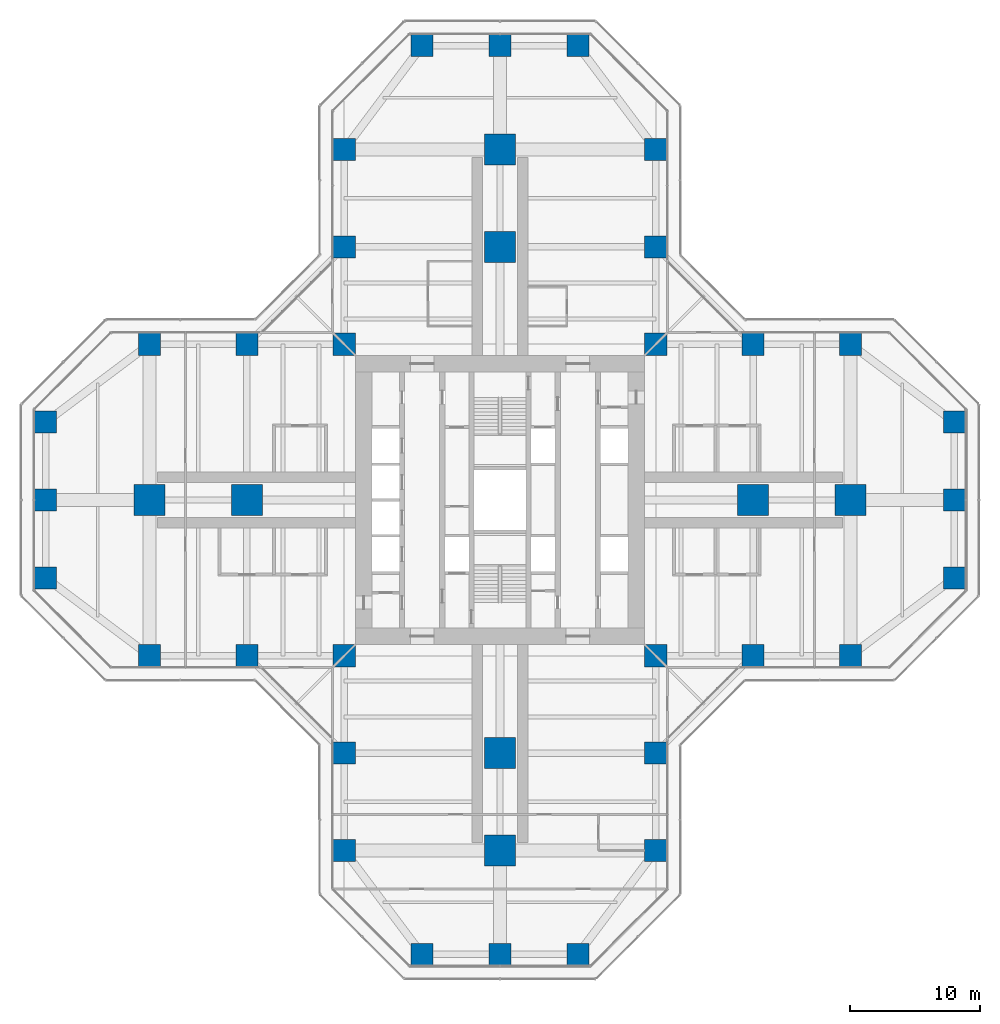
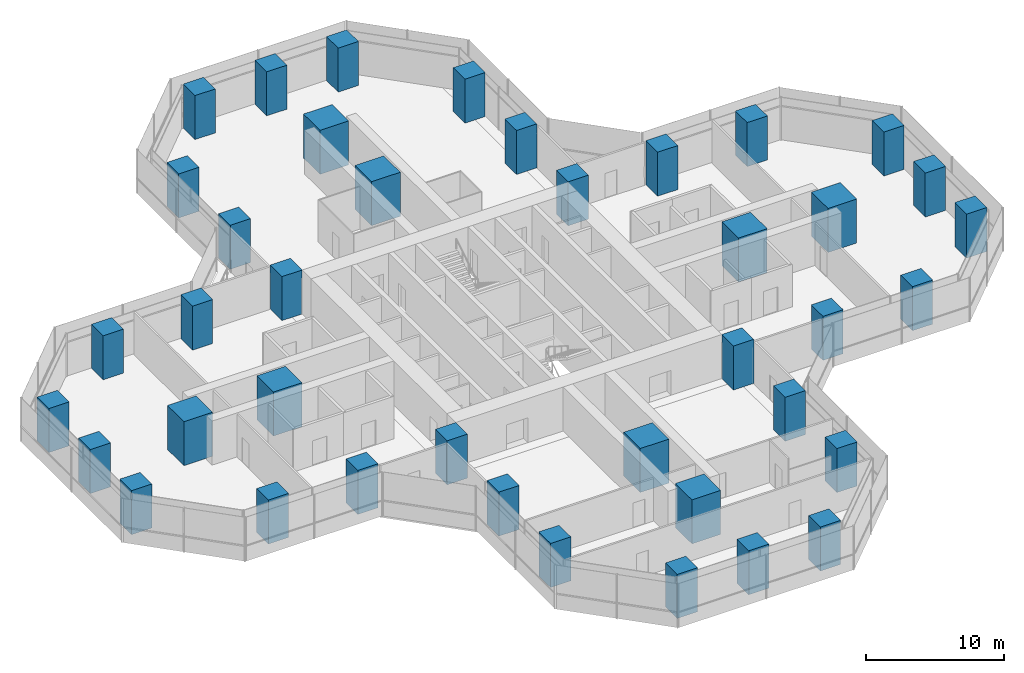
# One storey, part 1 of 22: 40 columns.
"""IFC4 building model written with IfcOpenShell, lengths in metres."""

from ifc_helpers import new_model, si_unit, direction, frame, origin, origin_2d, place, context, subcontext, project, spatial, rectangle, extrude, material, material_profile, profile_set, type_object, element, save


model = new_model("IFC4")

# Units and contexts
model_context = context("Model", 3, precision=1e-05, world=origin(), true_north=direction((0.0, 1.0)))
body_context = subcontext(model_context, "Body", "Model", "MODEL_VIEW")
ifc_project = project(units=[si_unit("LENGTHUNIT", "METRE"), si_unit("AREAUNIT", "SQUARE_METRE"), si_unit("VOLUMEUNIT", "CUBIC_METRE"), si_unit("PLANEANGLEUNIT", "RADIAN"), si_unit("MASSUNIT", "GRAM", prefix="KILO")], contexts=[model_context])

# Site, building, storey
site_placement = place(None, origin())
site = spatial("IfcSite", under=ifc_project, at=site_placement, CompositionType="ELEMENT")
building_placement = place(site_placement, origin())
building = spatial("IfcBuilding", under=site, at=building_placement, Name="Mizan Broadcast Tower", CompositionType="ELEMENT")
storey_placement = place(building_placement, frame((0.0, 0.0, 59.10009765625)))
storey = spatial("IfcBuildingStorey", under=building, at=storey_placement, Name="L11", CompositionType="ELEMENT", Elevation=59.10009765625)

# Columns
ifc_material_1 = material(Name="Concrete C70/85", Category="concrete")
ifc_material_profile_1 = material_profile(ifc_material_1, rectangle(XDim=1.699951171875, YDim=1.699951171875, at=origin_2d()), Name="RC 1700x1700")
ifc_profile_set_1 = profile_set([ifc_material_profile_1], Name="Concrete C70/85")
column_type_1 = type_object("IfcColumnType", Name="RC COLUMN 1700x1700 C70/85", PredefinedType="COLUMN", material=ifc_profile_set_1)
for number, where, z_axis, x_axis, name in (
    (1, (-6.0, -35.0, 0.0), (0.0, 0.0, 1.0), (1.0, 0.0, 0.0), "Column 5/A L11"),
    (2, (0.0, -35.0, 0.0), (0.0, 0.0, 1.0), (1.0, 0.0, 0.0), "Column 6/A L11"),
    (3, (6.0, -35.0, 0.0), (0.0, 0.0, 1.0), (1.0, 0.0, 0.0), "Column 7/A L11"),
    (4, (-12.0, -27.0, 0.0), (0.0, 0.0, 1.0), (1.0, 0.0, 0.0), "Column 4/B L11"),
    (5, (12.0, -27.0, 0.0), (0.0, 0.0, 1.0), (1.0, 0.0, 0.0), "Column 8/B L11"),
    (6, (-12.0, -19.5, 0.0), (0.0, 0.0, 1.0), (1.0, 0.0, 0.0), "Column 4/C L11"),
    (7, (12.0, -19.5, 0.0), (0.0, 0.0, 1.0), (1.0, 0.0, 0.0), "Column 8/C L11"),
    (8, (-27.0, -12.0, 0.0), (0.0, 0.0, 1.0), (1.0, 0.0, 0.0), "Column 2/D L11"),
    (9, (-19.5, -12.0, 0.0), (0.0, 0.0, 1.0), (1.0, 0.0, 0.0), "Column 3/D L11"),
    (10, (-12.0, -12.0, 0.0), (0.0, 0.0, 1.0), (1.0, 0.0, 0.0), "Column 4/D L11"),
    (11, (12.0, -12.0, 0.0), (0.0, 0.0, 1.0), (1.0, 0.0, 0.0), "Column 8/D L11"),
    (12, (19.5, -12.0, 0.0), (0.0, 0.0, 1.0), (1.0, 0.0, 0.0), "Column 9/D L11"),
    (13, (27.0, -12.0, 0.0), (0.0, 0.0, 1.0), (1.0, 0.0, 0.0), "Column 10/D L11"),
    (14, (-35.0, -6.0, 0.0), (0.0, 0.0, 1.0), (1.0, 0.0, 0.0), "Column 1/E L11"),
    (15, (35.0, -6.0, 0.0), (0.0, 0.0, 1.0), (1.0, 0.0, 0.0), "Column 11/E L11"),
    (16, (-35.0, 0.0, 0.0), (0.0, 0.0, 1.0), (1.0, 0.0, 0.0), "Column 1/F L11"),
    (17, (35.0, 0.0, 0.0), (0.0, 0.0, 1.0), (1.0, 0.0, 0.0), "Column 11/F L11"),
    (18, (-35.0, 6.0, 0.0), (0.0, 0.0, 1.0), (1.0, 0.0, 0.0), "Column 1/G L11"),
    (19, (35.0, 6.0, 0.0), (0.0, 0.0, 1.0), (1.0, 0.0, 0.0), "Column 11/G L11"),
    (20, (-27.0, 12.0, 0.0), (0.0, 0.0, 1.0), (1.0, 0.0, 0.0), "Column 2/H L11"),
    (21, (-19.5, 12.0, 0.0), (0.0, 0.0, 1.0), (1.0, 0.0, 0.0), "Column 3/H L11"),
    (22, (-12.0, 12.0, 0.0), (0.0, 0.0, 1.0), (1.0, 0.0, 0.0), "Column 4/H L11"),
    (23, (12.0, 12.0, 0.0), (0.0, 0.0, 1.0), (1.0, 0.0, 0.0), "Column 8/H L11"),
    (24, (19.5, 12.0, 0.0), (0.0, 0.0, 1.0), (1.0, 0.0, 0.0), "Column 9/H L11"),
    (25, (27.0, 12.0, 0.0), (0.0, 0.0, 1.0), (1.0, 0.0, 0.0), "Column 10/H L11"),
    (26, (-12.0, 19.5, 0.0), (0.0, 0.0, 1.0), (1.0, 0.0, 0.0), "Column 4/J L11"),
    (27, (12.0, 19.5, 0.0), (0.0, 0.0, 1.0), (1.0, 0.0, 0.0), "Column 8/J L11"),
    (28, (-12.0, 27.0, 0.0), (0.0, 0.0, 1.0), (1.0, 0.0, 0.0), "Column 4/K L11"),
    (29, (12.0, 27.0, 0.0), (0.0, 0.0, 1.0), (1.0, 0.0, 0.0), "Column 8/K L11"),
    (30, (-6.0, 35.0, 0.0), (0.0, 0.0, 1.0), (1.0, 0.0, 0.0), "Column 5/L L11"),
    (31, (0.0, 35.0, 0.0), (0.0, 0.0, 1.0), (1.0, 0.0, 0.0), "Column 6/L L11"),
    (32, (6.0, 35.0, 0.0), (0.0, 0.0, 1.0), (1.0, 0.0, 0.0), "Column 7/L L11"),
):
    element("IfcColumn", number, at=place(storey_placement, frame(where, z_axis=z_axis, x_axis=x_axis)), inside=storey, type_object=column_type_1, Name=name, PredefinedType="COLUMN", context=body_context, shape_type="SweptSolid", body=[
        extrude(rectangle(XDim=1.699951171875, YDim=1.699951171875, at=origin_2d()), origin(), (0.0, 0.0, 1.0), 3.89990234375),
    ])
ifc_material_2 = material(Name="Concrete C70/85", Category="concrete")
ifc_material_profile_2 = material_profile(ifc_material_2, rectangle(XDim=2.39990234375, YDim=2.39990234375, at=origin_2d()), Name="RC 2400x2400")
ifc_profile_set_2 = profile_set([ifc_material_profile_2], Name="Concrete C70/85")
column_type_2 = type_object("IfcColumnType", Name="RC COLUMN 2400x2400 C70/85", PredefinedType="COLUMN", material=ifc_profile_set_2)
for number, where, z_axis, x_axis, name in (
    (33, (0.0, -27.0, 0.0), (0.0, 0.0, 1.0), (1.0, 0.0, 0.0), "Column 6/B L11"),
    (34, (0.0, -19.5, 0.0), (0.0, 0.0, 1.0), (1.0, 0.0, 0.0), "Column 6/C L11"),
    (35, (-27.0, 0.0, 0.0), (0.0, 0.0, 1.0), (1.0, 0.0, 0.0), "Column 2/F L11"),
    (36, (-19.5, 0.0, 0.0), (0.0, 0.0, 1.0), (1.0, 0.0, 0.0), "Column 3/F L11"),
    (37, (19.5, 0.0, 0.0), (0.0, 0.0, 1.0), (1.0, 0.0, 0.0), "Column 9/F L11"),
    (38, (27.0, 0.0, 0.0), (0.0, 0.0, 1.0), (1.0, 0.0, 0.0), "Column 10/F L11"),
    (39, (0.0, 19.5, 0.0), (0.0, 0.0, 1.0), (1.0, 0.0, 0.0), "Column 6/J L11"),
    (40, (0.0, 27.0, 0.0), (0.0, 0.0, 1.0), (1.0, 0.0, 0.0), "Column 6/K L11"),
):
    element("IfcColumn", number, at=place(storey_placement, frame(where, z_axis=z_axis, x_axis=x_axis)), inside=storey, type_object=column_type_2, Name=name, PredefinedType="COLUMN", context=body_context, shape_type="SweptSolid", body=[
        extrude(rectangle(XDim=2.39990234375, YDim=2.39990234375, at=origin_2d()), origin(), (0.0, 0.0, 1.0), 3.89990234375),
    ])

save(model, "model.ifc")
